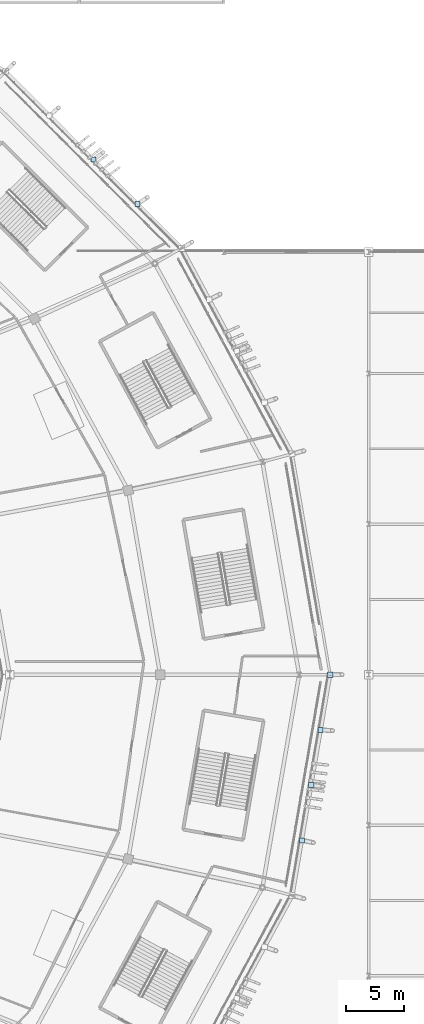
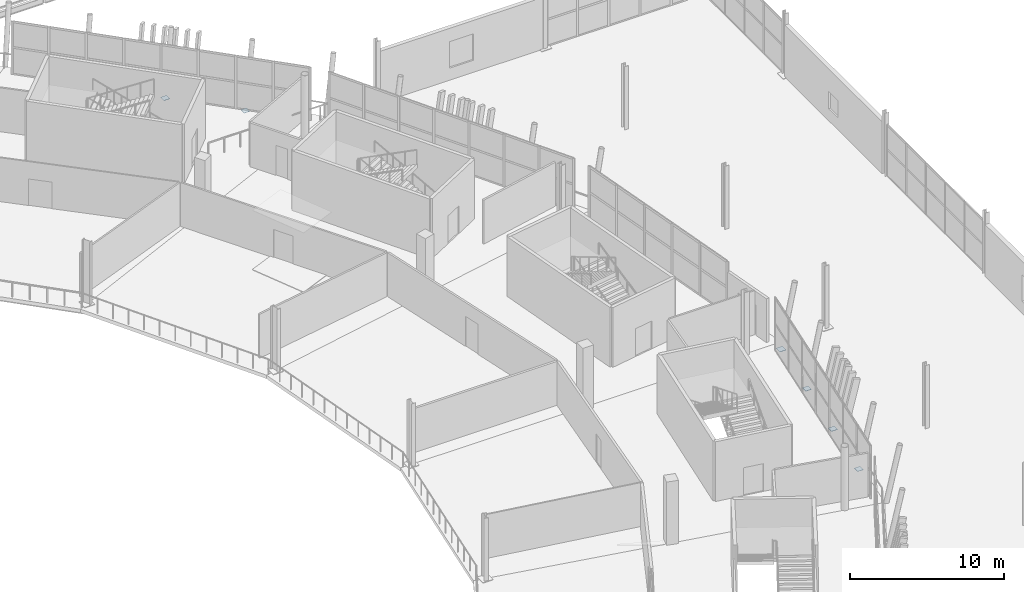
# One storey, part 114 of 179: 6 plates.
"""IFC4 building model written with IfcOpenShell, lengths in metres."""

from ifc_helpers import new_model, si_unit, direction, frame, origin, origin_2d, place, context, subcontext, project, spatial, rectangle, extrude, material, layer, layer_set, type_object, element, save


model = new_model("IFC4")

# Units and contexts
model_context = context("Model", 3, precision=1e-05, world=origin(), true_north=direction((0.0, 1.0)))
body_context = subcontext(model_context, "Body", "Model", "MODEL_VIEW")
ifc_project = project(units=[si_unit("LENGTHUNIT", "METRE"), si_unit("AREAUNIT", "SQUARE_METRE"), si_unit("VOLUMEUNIT", "CUBIC_METRE"), si_unit("PLANEANGLEUNIT", "RADIAN"), si_unit("MASSUNIT", "GRAM", prefix="KILO")], contexts=[model_context])

# Site, building, storey
site_placement = place(None, origin())
site = spatial("IfcSite", under=ifc_project, at=site_placement, CompositionType="ELEMENT")
building_placement = place(site_placement, origin())
building = spatial("IfcBuilding", under=site, at=building_placement, Name="Zlatoyarsky Gate Stadium", CompositionType="ELEMENT")
storey_placement = place(building_placement, frame((0.0, 0.0, 10.60009765625)))
storey = spatial("IfcBuildingStorey", under=building, at=storey_placement, Name="L02", CompositionType="ELEMENT", Elevation=10.60009765625)

# Plates
ifc_material = material(Name="Steel S355", Category="steel")
ifc_layer = layer(ifc_material, 0.02392578125)
ifc_layer_set = layer_set([ifc_layer], Name="Steel S355")
plate_type = type_object("IfcPlateType", Name="STEEL HOLLOW CHORD SPLICE SHEET 24", PredefinedType="SHEET", material=ifc_layer_set)
plate_placement = place(storey_placement, frame((206.67578125, 80.0, -0.592041015625), z_axis=(0.0, 0.0, 1.0), x_axis=(1.0, 0.0, 0.0)))
element("IfcPlate", 1, at=plate_placement, inside=storey, type_object=plate_type, Name="Node closure plate ND-SP1 NCAP-L02-RSTR-00", PredefinedType="SHEET", context=body_context, shape_type="SweptSolid", body=[
    extrude(rectangle(XDim=0.47998046875, YDim=0.47998046875, at=origin_2d()), origin(), (0.0, 0.0, 1.0), 0.02392578125),
])
for number, where, z_axis, x_axis, name in (
    (2, (190.056640625, 120.652587890625, -0.5419921875), (0.0, 0.0, 1.0), (1.0, 0.0, 0.0), "Node closure plate ND-SP1 NCAP-RIB-02-1-0T"),
    (3, (186.25537109375, 124.46728515625, -0.5419921875), (0.0, 0.0, 1.0), (1.0, 0.0, 0.0), "Node closure plate ND-SP1 NCAP-RIB-02-2-0T"),
    (4, (204.230712890625, 65.698486328125, -0.5419921875), (0.0, 0.0, 1.0), (1.0, 0.0, 0.0), "Node closure plate ND-SP1 NCAP-RIB-23-1-0T"),
    (5, (205.0458984375, 70.465576171875, -0.5419921875), (0.0, 0.0, 1.0), (1.0, 0.0, 0.0), "Node closure plate ND-SP1 NCAP-RIB-23-2-0T"),
    (6, (205.86083984375, 75.23291015625, -0.5419921875), (0.0, 0.0, 1.0), (1.0, 0.0, 0.0), "Node closure plate ND-SP1 NCAP-RIB-23-3-0T"),
):
    element("IfcPlate", number, at=place(storey_placement, frame(where, z_axis=z_axis, x_axis=x_axis)), inside=storey, type_object=plate_type, Name=name, PredefinedType="SHEET", context=body_context, shape_type="SweptSolid", body=[
        extrude(rectangle(XDim=0.43994140625, YDim=0.43994140625, at=origin_2d()), origin(), (0.0, 0.0, 1.0), 0.02392578125),
    ])

save(model, "model.ifc")
